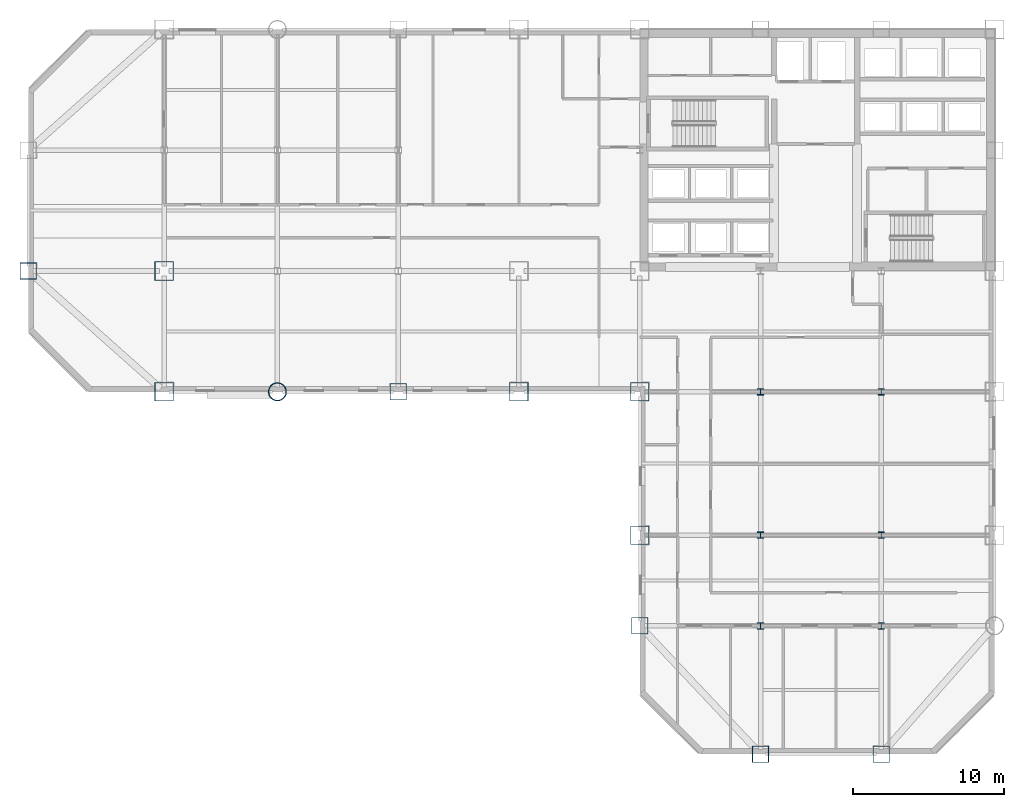
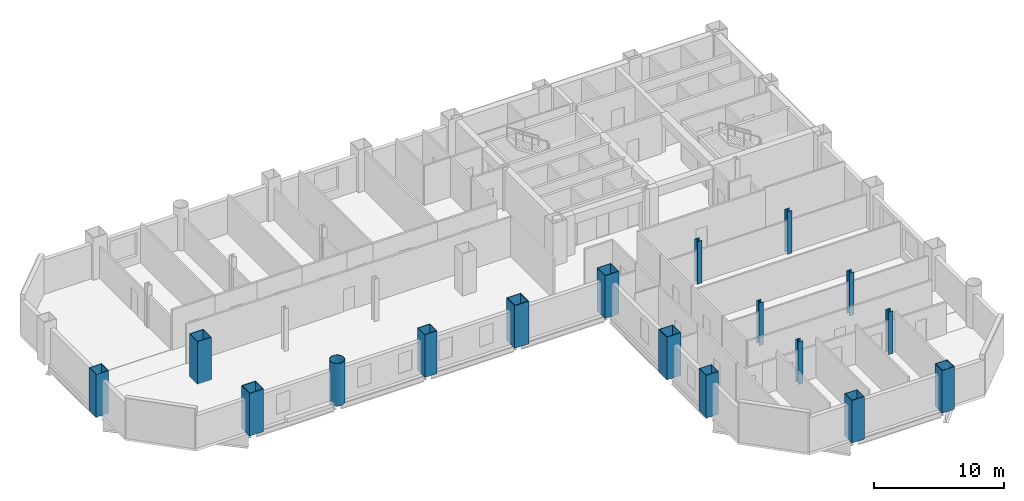
# One storey, part 1 of 9: 17 columns.
"""IFC4 building model written with IfcOpenShell, lengths in metres."""

from ifc_helpers import new_model, si_unit, direction, frame, origin, origin_2d, place, context, subcontext, project, spatial, hollow_rectangle, hollow_circle, i_section, extrude, material, material_profile, profile_set, type_object, element, save


model = new_model("IFC4")

# Units and contexts
model_context = context("Model", 3, precision=1e-05, world=origin(), true_north=direction((0.0, 1.0)))
body_context = subcontext(model_context, "Body", "Model", "MODEL_VIEW")
ifc_project = project(units=[si_unit("LENGTHUNIT", "METRE"), si_unit("AREAUNIT", "SQUARE_METRE"), si_unit("VOLUMEUNIT", "CUBIC_METRE"), si_unit("PLANEANGLEUNIT", "RADIAN"), si_unit("MASSUNIT", "GRAM", prefix="KILO")], contexts=[model_context])

# Site, building, storey
site_placement = place(None, origin())
site = spatial("IfcSite", under=ifc_project, at=site_placement, CompositionType="ELEMENT")
building_placement = place(site_placement, origin())
building = spatial("IfcBuilding", under=site, at=building_placement, Name="Qianrong Seaharbour Tower", CompositionType="ELEMENT")
storey_placement = place(building_placement, frame((0.0, 0.0, 36.199951171875)))
storey = spatial("IfcBuildingStorey", under=building, at=storey_placement, Name="L08", CompositionType="ELEMENT", Elevation=36.199951171875)

# Columns
ifc_material = material(Name="Structural steel SN490B", Category="steel")
ifc_material_profile_1 = material_profile(ifc_material, hollow_rectangle(XDim=1.25, YDim=1.25, WallThickness=0.044921875, at=origin_2d()), Name="BOX1250x1250x45")
ifc_profile_set_1 = profile_set([ifc_material_profile_1], Name="Structural steel SN490B")
column_type_1 = type_object("IfcColumnType", Name="COL-CFT-1250", PredefinedType="COLUMN", material=ifc_profile_set_1)
for number, where, z_axis, x_axis, name in (
    (1, (9.0, 28.0, 0.0), (0.0, 0.0, 1.0), (1.0, 0.0, 0.0), "L08 Column MC-2 at G2/GE"),
    (2, (9.0, 36.0, 0.0), (0.0, 0.0, 1.0), (1.0, 0.0, 0.0), "L08 Column MC-2 at G2/GF"),
    (3, (32.5, 28.0, 0.0), (0.0, 0.0, 1.0), (1.0, 0.0, 0.0), "L08 Column MC-2 at G5/GE"),
    (4, (40.5, 18.5, 0.0), (0.0, 0.0, 1.0), (1.0, 0.0, 0.0), "L08 Column MC-2 at G6/GD"),
    (5, (40.5, 28.0, 0.0), (0.0, 0.0, 1.0), (1.0, 0.0, 0.0), "L08 Column MC-2 at G6/GE"),
):
    element("IfcColumn", number, at=place(storey_placement, frame(where, z_axis=z_axis, x_axis=x_axis)), inside=storey, type_object=column_type_1, Name=name, PredefinedType="COLUMN", context=body_context, shape_type="SweptSolid", body=[
        extrude(hollow_rectangle(XDim=1.25, YDim=1.25, WallThickness=0.044921875, at=origin_2d()), origin(), (0.0, 0.0, 1.0), 4.0),
    ])
ifc_material_profile_2 = material_profile(ifc_material, hollow_circle(Radius=0.60009765625, WallThickness=0.0400390625, at=origin_2d()), Name="CHS1200x40")
ifc_profile_set_2 = profile_set([ifc_material_profile_2], Name="Structural steel SN490B")
column_type_2 = type_object("IfcColumnType", Name="COL-CHS-1200", PredefinedType="COLUMN", material=ifc_profile_set_2)
column_placement = place(storey_placement, frame((16.5, 28.0, 0.0), z_axis=(0.0, 0.0, 1.0), x_axis=(1.0, 0.0, 0.0)))
element("IfcColumn", 6, at=column_placement, inside=storey, type_object=column_type_2, Name="L08 Column CC-1 at G3/GE", PredefinedType="COLUMN", context=body_context, shape_type="SweptSolid", body=[
    extrude(hollow_circle(Radius=0.60009765625, WallThickness=0.0400390625, at=origin_2d()), origin(), (0.0, 0.0, 1.0), 4.0),
])
ifc_material_profile_3 = material_profile(ifc_material, i_section(OverallWidth=0.406982421875, OverallDepth=0.427978515625, WebThickness=0.02001953125, FlangeThickness=0.034912109375, FilletRadius=0.02197265625, at=origin_2d()), Name="H428x407x20x35")
ifc_profile_set_3 = profile_set([ifc_material_profile_3], Name="Structural steel SN490B")
column_type_3 = type_object("IfcColumnType", Name="COL-INT-H428", PredefinedType="COLUMN", material=ifc_profile_set_3)
for number, where, z_axis, x_axis, name in (
    (7, (48.5, 12.5, 0.0), (0.0, 0.0, 1.0), (1.0, 0.0, 0.0), "L08 Column IC-2 at G7/GC"),
    (8, (48.5, 18.5, 0.0), (0.0, 0.0, 1.0), (1.0, 0.0, 0.0), "L08 Column IC-2 at G7/GD"),
    (9, (48.5, 28.0, 0.0), (0.0, 0.0, 1.0), (1.0, 0.0, 0.0), "L08 Column IC-2 at G7/GE"),
    (10, (56.5, 12.5, 0.0), (0.0, 0.0, 1.0), (1.0, 0.0, 0.0), "L08 Column IC-2 at G8/GC"),
    (11, (56.5, 18.5, 0.0), (0.0, 0.0, 1.0), (1.0, 0.0, 0.0), "L08 Column IC-2 at G8/GD"),
    (12, (56.5, 28.0, 0.0), (0.0, 0.0, 1.0), (1.0, 0.0, 0.0), "L08 Column IC-2 at G8/GE"),
):
    element("IfcColumn", number, at=place(storey_placement, frame(where, z_axis=z_axis, x_axis=x_axis)), inside=storey, type_object=column_type_3, Name=name, PredefinedType="COLUMN", context=body_context, shape_type="SweptSolid", body=[
        extrude(i_section(OverallWidth=0.406982421875, OverallDepth=0.427978515625, WebThickness=0.02001953125, FlangeThickness=0.034912109375, FilletRadius=0.02197265625, at=origin_2d()), origin(), (0.0, 0.0, 1.0), 4.0),
    ])
ifc_material_profile_4 = material_profile(ifc_material, hollow_rectangle(XDim=1.10009765625, YDim=1.10009765625, WallThickness=0.0400390625, at=origin_2d()), Name="BOX1100x1100x40")
ifc_profile_set_4 = profile_set([ifc_material_profile_4], Name="Structural steel SN490B")
column_type_4 = type_object("IfcColumnType", Name="COL-PER-1100", PredefinedType="COLUMN", material=ifc_profile_set_4)
for number, where, z_axis, x_axis, name in (
    (13, (0.0, 36.0, 0.0), (0.0, 0.0, 1.0), (1.0, 0.0, 0.0), "L08 Column PC-1 at G1/GF"),
    (14, (24.5, 28.0, 0.0), (0.0, 0.0, 1.0), (1.0, 0.0, 0.0), "L08 Column PC-1 at G4/GE"),
    (15, (40.5, 12.5, 0.0), (0.0, 0.0, 1.0), (1.0, 0.0, 0.0), "L08 Column PC-1 at G6/GC"),
    (16, (48.5, 4.0, 0.0), (0.0, 0.0, 1.0), (1.0, 0.0, 0.0), "L08 Column PC-1 at G7/GB"),
    (17, (56.5, 4.0, 0.0), (0.0, 0.0, 1.0), (1.0, 0.0, 0.0), "L08 Column PC-1 at G8/GB"),
):
    element("IfcColumn", number, at=place(storey_placement, frame(where, z_axis=z_axis, x_axis=x_axis)), inside=storey, type_object=column_type_4, Name=name, PredefinedType="COLUMN", context=body_context, shape_type="SweptSolid", body=[
        extrude(hollow_rectangle(XDim=1.10009765625, YDim=1.10009765625, WallThickness=0.0400390625, at=origin_2d()), origin(), (0.0, 0.0, 1.0), 4.0),
    ])

save(model, "model.ifc")
